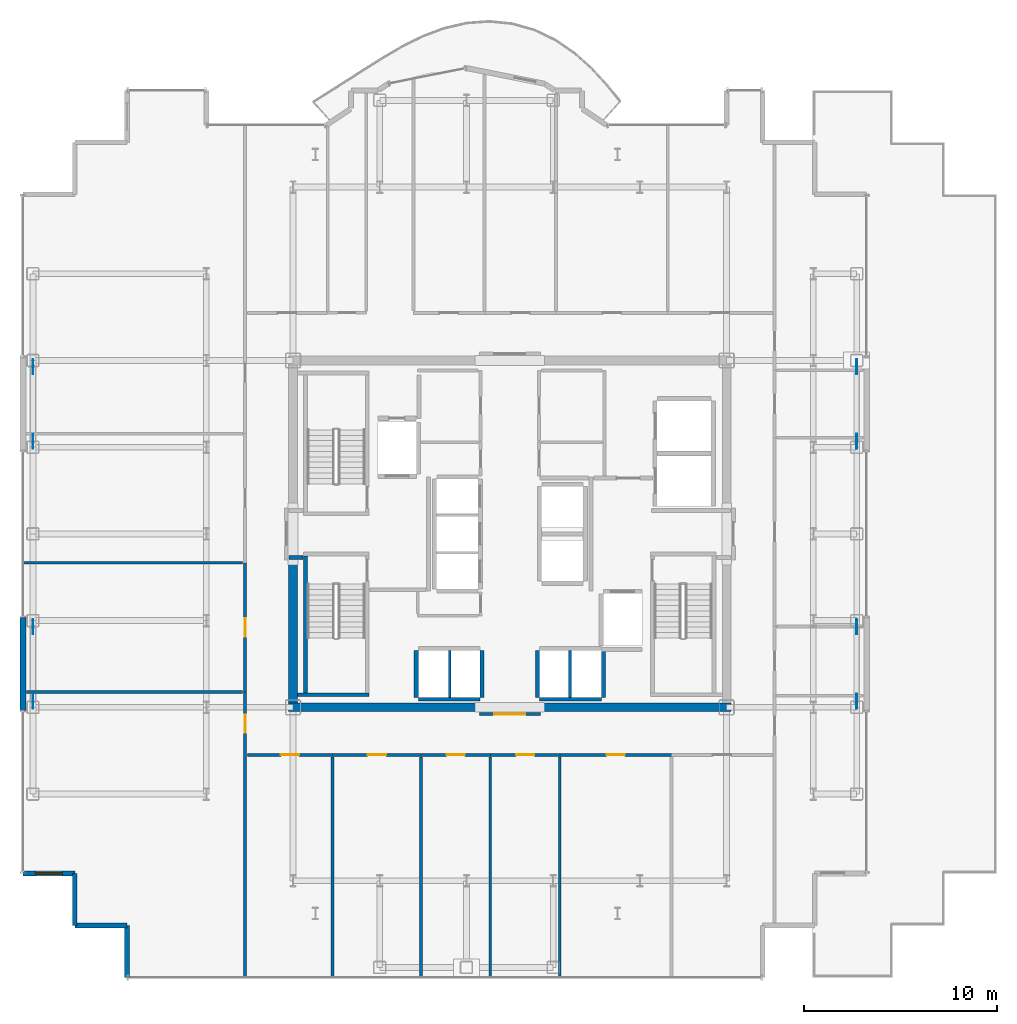
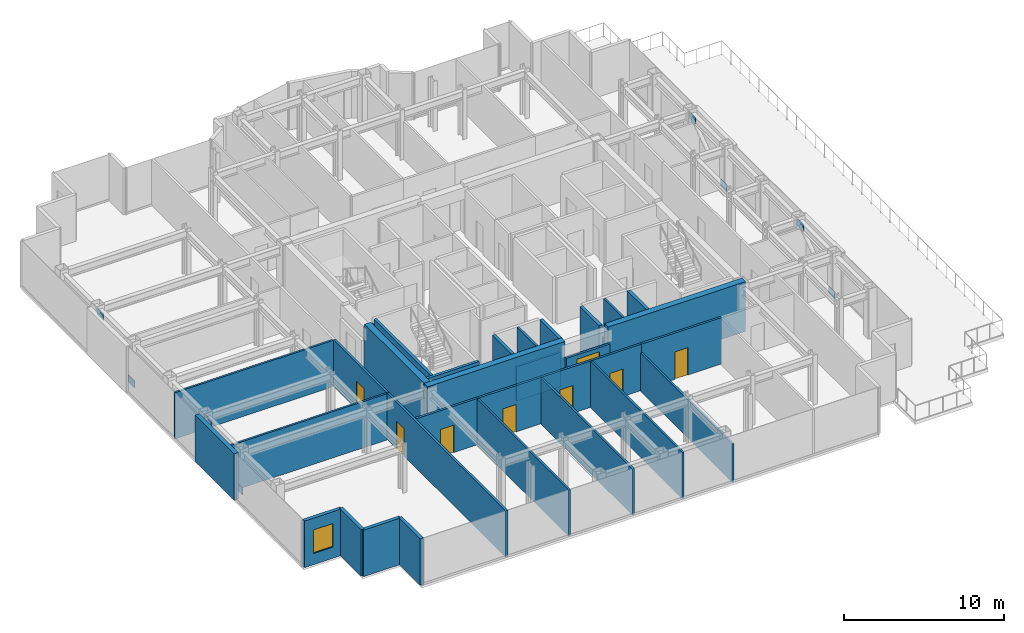
# One storey, part 11 of 17: 33 walls, 8 doors, 8 plates, 1 window, 9 openings.
"""IFC4 building model written with IfcOpenShell, lengths in metres."""

from ifc_helpers import new_model, si_unit, direction, frame, frame_2d, origin, origin_2d, place, context, subcontext, project, spatial, rectangle, extrude, source, transform, mapped, material, layer, layer_set, type_object, element, fill, save


model = new_model("IFC4")

# Units and contexts
model_context = context("Model", 3, precision=1e-05, world=origin(), true_north=direction((0.0, 1.0)))
body_context = subcontext(model_context, "Body", "Model", "MODEL_VIEW")
ifc_project = project(units=[si_unit("LENGTHUNIT", "METRE"), si_unit("AREAUNIT", "SQUARE_METRE"), si_unit("VOLUMEUNIT", "CUBIC_METRE"), si_unit("PLANEANGLEUNIT", "RADIAN"), si_unit("MASSUNIT", "GRAM", prefix="KILO")], contexts=[model_context])

# Site, building, storey
site_placement = place(None, origin())
site = spatial("IfcSite", under=ifc_project, at=site_placement, CompositionType="ELEMENT")
building_placement = place(site_placement, origin())
building = spatial("IfcBuilding", under=site, at=building_placement, Name="Nefas-Gora Pilgrimage Tower", CompositionType="ELEMENT")
storey_placement = place(building_placement, frame((0.0, 0.0, 264.60009765625)))
storey = spatial("IfcBuildingStorey", under=building, at=storey_placement, Name="L66", CompositionType="ELEMENT", Elevation=264.60009765625)

# Plates
ifc_material_1 = material(Name="Steel S355", Category="steel")
ifc_layer_1 = layer(ifc_material_1, 0.052001953125)
ifc_layer_set_1 = layer_set([ifc_layer_1], Name="Steel S355")
plate_type = type_object("IfcPlateType", Name="PLT-NODE-N09", PredefinedType="USERDEFINED", material=ifc_layer_set_1)
shared_shape_1 = source(origin(), body_context, "Body", "SweptSolid", [
    extrude(rectangle(XDim=0.780029296875, YDim=0.0380859375, at=origin_2d()), origin(), (0.0, 0.0, 1.0), 0.5400390625),
])
for number, where, z_axis, x_axis, name in (
    (1, (-24.75, -8.68701171875, 0.10400390625), (0.0, 0.0, 1.0), (0.0, 1.0, 0.0), "Structural Node Gusset Plate N09 (L66)"),
    (2, (-24.75, -4.81298828125, 2.8759765625), (0.0, 0.0, 1.0), (0.0, 1.0, 0.0), "Structural Node Gusset Plate N09 (L66)"),
    (3, (-24.75, 4.81298828125, 0.10400390625), (0.0, 0.0, 1.0), (0.0, 1.0, 0.0), "Structural Node Gusset Plate N09 (L66)"),
    (4, (-24.75, 8.68701171875, 2.8759765625), (0.0, 0.0, 1.0), (0.0, 1.0, 0.0), "Structural Node Gusset Plate N09 (L66)"),
    (5, (18.0, -8.68701171875, 0.10400390625), (0.0, 0.0, 1.0), (0.0, 1.0, 0.0), "Structural Node Gusset Plate N09 (L66)"),
    (6, (18.0, -4.81298828125, 2.8759765625), (0.0, 0.0, 1.0), (0.0, 1.0, 0.0), "Structural Node Gusset Plate N09 (L66)"),
    (7, (18.0, 4.81298828125, 0.10400390625), (0.0, 0.0, 1.0), (0.0, 1.0, 0.0), "Structural Node Gusset Plate N09 (L66)"),
    (8, (18.0, 8.68701171875, 2.8759765625), (0.0, 0.0, 1.0), (0.0, 1.0, 0.0), "Structural Node Gusset Plate N09 (L66)"),
):
    element("IfcPlate", number, at=place(storey_placement, frame(where, z_axis=z_axis, x_axis=x_axis)), inside=storey, type_object=plate_type, Name=name, ObjectType="GUSSET_PLATE", PredefinedType="USERDEFINED", context=body_context, shape_type="MappedRepresentation", body=[
        mapped(shared_shape_1, transform((0.0, 0.0, 0.0), x_axis=(1.0, 0.0, 0.0), y_axis=(0.0, 1.0, 0.0), z_axis=(0.0, 0.0, 1.0), scale=1.0)),
    ])

# Walls
ifc_material_2 = material(Name="Concrete C50/60", Category="concrete")
ifc_layer_2 = layer(ifc_material_2, 0.449951171875)
ifc_layer_set_2 = layer_set([ifc_layer_2], Name="Concrete C50/60")
wall_type_1 = type_object("IfcWallType", Name="SW-CORE-450", PredefinedType="SHEAR", material=ifc_layer_set_2)
shared_shape_2 = source(origin(), body_context, "Body", "SweptSolid", [
    extrude(rectangle(XDim=9.925048828125, YDim=0.449951171875, at=frame_2d((4.96240234375, 0.0))), origin(), (0.0, 0.0, 1.0), 3.7998046875),
])
for number, where, z_axis, x_axis, name in (
    (9, (-11.47509765625, -9.0, 0.0), (0.0, 0.0, 1.0), (1.0, 0.0, 0.0), "L66 Core Shear Wall S-West"),
    (10, (1.550048828125, -9.0, 0.0), (0.0, 0.0, 1.0), (1.0, 0.0, 0.0), "L66 Core Shear Wall S-East"),
):
    element("IfcWall", number, at=place(storey_placement, frame(where, z_axis=z_axis, x_axis=x_axis)), inside=storey, type_object=wall_type_1, Name=name, PredefinedType="SHEAR", context=body_context, shape_type="MappedRepresentation", body=[
        mapped(shared_shape_2, transform((0.0, 0.0, 0.0), x_axis=(1.0, 0.0, 0.0), y_axis=(0.0, 1.0, 0.0), z_axis=(0.0, 0.0, 1.0), scale=1.0)),
    ])
shared_shape_3 = source(origin(), body_context, "Body", "SweptSolid", [
    extrude(rectangle(XDim=7.4248046875, YDim=0.449951171875, at=frame_2d((3.71240234375, 0.0))), origin(), (0.0, 0.0, 1.0), 3.7998046875),
])
wall_1_placement = place(storey_placement, frame((-11.25, -8.77490234375, 0.0), z_axis=(0.0, 0.0, 1.0), x_axis=(0.0, 1.0, 0.0)))
element("IfcWall", 11, at=wall_1_placement, inside=storey, type_object=wall_type_1, Name="L66 Core Shear Wall W-South", PredefinedType="SHEAR", context=body_context, shape_type="MappedRepresentation", body=[
    mapped(shared_shape_3, transform((0.0, 0.0, 0.0), x_axis=(1.0, 0.0, 0.0), y_axis=(0.0, 1.0, 0.0), z_axis=(0.0, 0.0, 1.0), scale=1.0)),
])

# Wall, opening, window
ifc_material_3 = material(Name="Precast concrete C45/55", Category="concrete")
ifc_layer_3 = layer(ifc_material_3, 0.239990234375)
ifc_layer_set_3 = layer_set([ifc_layer_3], Name="Precast concrete C45/55")
wall_type_2 = type_object("IfcWallType", Name="EW-SERR-240", PredefinedType="SHEAR", material=ifc_layer_set_3)
shared_shape_4 = source(origin(), body_context, "Body", "SweptSolid", [
    extrude(rectangle(XDim=2.699951171875, YDim=0.239990234375, at=frame_2d((1.35009765625, 0.0))), origin(), (0.0, 0.0, 1.0), 3.5498046875),
])
wall_2_placement = place(storey_placement, frame((-25.27001953125, -17.6201171875, 0.0), z_axis=(0.0, 0.0, 1.0), x_axis=(1.0, 0.0, 0.0)))
wall_2 = element("IfcWall", 12, at=wall_2_placement, inside=storey, type_object=wall_type_2, Name="L66 Serrated Corner Shear Pier Wall 25", PredefinedType="SHEAR", context=body_context, shape_type="MappedRepresentation", body=[
    mapped(shared_shape_4, transform((0.0, 0.0, 0.0), x_axis=(1.0, 0.0, 0.0), y_axis=(0.0, 1.0, 0.0), z_axis=(0.0, 0.0, 1.0), scale=1.0)),
])
opening_1_placement = place(wall_2_placement, frame((0.64990234375, 0.0, 0.85009765625)))
opening_1 = element("IfcOpeningElement", 13, at=opening_1_placement, cuts=wall_2, Name="Opening W-V2", PredefinedType="OPENING", context=body_context, shape_type="SweptSolid", body=[
    extrude(rectangle(XDim=1.39990234375, YDim=1.800048828125, at=frame_2d((0.699951171875, 0.89990234375))), frame((0.0, 0.1298828125, 0.0), z_axis=(0.0, -1.0, 0.0), x_axis=(1.0, 0.0, 0.0)), (0.0, 0.0, 1.0), 0.260009765625),
])
ifc_material_4 = material(Name="Dark ceramic-fritted operable aluminium-glass window", Category="aluminium")
window_type = type_object("IfcWindowType", Name="WIN-VENT-1400x1800", PartitioningType="SINGLE_PANEL", PredefinedType="WINDOW", material=ifc_material_4)
shared_shape_5 = source(origin(), body_context, "Body", "SweptSolid", [
    extrude(rectangle(XDim=1.39990234375, YDim=1.800048828125, at=frame_2d((0.699951171875, 0.89990234375))), frame((0.0, 0.030029296875, 0.0), z_axis=(0.0, -1.0, 0.0), x_axis=(1.0, 0.0, 0.0)), (0.0, 0.0, 1.0), 0.06005859375),
])
window_placement = place(opening_1_placement, origin())
window = element("IfcWindow", 14, at=window_placement, inside=storey, type_object=window_type, Name="L66 Operable Parallel-Outswing Window 25", OverallHeight=1.800048828125, OverallWidth=1.39990234375, PartitioningType="SINGLE_PANEL", PredefinedType="WINDOW", context=body_context, shape_type="MappedRepresentation", body=[
    mapped(shared_shape_5, transform((0.0, 0.0, 0.0), x_axis=(1.0, 0.0, 0.0), y_axis=(0.0, 1.0, 0.0), z_axis=(0.0, 0.0, 1.0), scale=1.0)),
])
fill(opening_1, window)

# Walls
for number, where, z_axis, x_axis, name in (
    (15, (-22.570068359375, -17.6201171875, 0.0), (0.0, 0.0, 1.0), (0.0, -1.0, 0.0), "L66 Serrated Corner Shear Pier Wall 26"),
    (16, (-22.570068359375, -20.320068359375, 0.0), (0.0, 0.0, 1.0), (1.0, 0.0, 0.0), "L66 Serrated Corner Shear Pier Wall 27"),
    (17, (-19.8701171875, -20.320068359375, 0.0), (0.0, 0.0, 1.0), (0.0, -1.0, 0.0), "L66 Serrated Corner Shear Pier Wall 28"),
):
    element("IfcWall", number, at=place(storey_placement, frame(where, z_axis=z_axis, x_axis=x_axis)), inside=storey, type_object=wall_type_2, Name=name, PredefinedType="SHEAR", context=body_context, shape_type="MappedRepresentation", body=[
        mapped(shared_shape_4, transform((0.0, 0.0, 0.0), x_axis=(1.0, 0.0, 0.0), y_axis=(0.0, 1.0, 0.0), z_axis=(0.0, 0.0, 1.0), scale=1.0)),
    ])
shared_shape_6 = source(origin(), body_context, "Body", "SweptSolid", [
    extrude(rectangle(XDim=4.8798828125, YDim=0.300048828125, at=frame_2d((2.43994140625, 0.0))), origin(), (0.0, 0.0, 1.0), 3.5498046875),
])
wall_3_placement = place(storey_placement, frame((-25.27001953125, -9.18994140625, 0.0), z_axis=(0.0, 0.0, 1.0), x_axis=(0.0, 1.0, 0.0)))
element("IfcWall", 18, at=wall_3_placement, inside=storey, type_object=wall_type_2, Name="L66 Braced-Tube Precast Shear Cladding 1", PredefinedType="SHEAR", context=body_context, shape_type="MappedRepresentation", body=[
    mapped(shared_shape_6, transform((0.0, 0.0, 0.0), x_axis=(1.0, 0.0, 0.0), y_axis=(0.0, 1.0, 0.0), z_axis=(0.0, 0.0, 1.0), scale=1.0)),
])
ifc_material_5 = material(Name="Concrete C45/55", Category="concrete")
ifc_layer_4 = layer(ifc_material_5, 0.199951171875)
ifc_layer_set_4 = layer_set([ifc_layer_4], Name="Concrete C45/55")
wall_type_3 = type_object("IfcWallType", Name="IW-STAIR-200", PredefinedType="SOLIDWALL", material=ifc_layer_set_4)
shared_shape_7 = source(origin(), body_context, "Body", "SweptSolid", [
    extrude(rectangle(XDim=7.10009765625, YDim=0.199951171875, at=frame_2d((3.550048828125, 0.0))), origin(), (0.0, 0.0, 1.0), 3.7998046875),
])
wall_4_placement = place(storey_placement, frame((-10.60009765625, -1.14990234375, 0.0), z_axis=(0.0, 0.0, 1.0), x_axis=(0.0, -1.0, 0.0)))
element("IfcWall", 19, at=wall_4_placement, inside=storey, type_object=wall_type_3, Name="L66 Stairwell Shear Wall ST-03-left", PredefinedType="SOLIDWALL", context=body_context, shape_type="MappedRepresentation", body=[
    mapped(shared_shape_7, transform((0.0, 0.0, 0.0), x_axis=(1.0, 0.0, 0.0), y_axis=(0.0, 1.0, 0.0), z_axis=(0.0, 0.0, 1.0), scale=1.0)),
])
shared_shape_8 = source(origin(), body_context, "Body", "SweptSolid", [
    extrude(rectangle(XDim=3.72998046875, YDim=0.199951171875, at=frame_2d((1.864990234375, 0.0))), origin(), (0.0, 0.0, 1.0), 3.7998046875),
])
wall_5_placement = place(storey_placement, frame((-11.030029296875, -8.35009765625, 0.0), z_axis=(0.0, 0.0, 1.0), x_axis=(1.0, 0.0, 0.0)))
element("IfcWall", 20, at=wall_5_placement, inside=storey, type_object=wall_type_3, Name="L66 Stairwell Shear Wall ST-03-far", PredefinedType="SOLIDWALL", context=body_context, shape_type="MappedRepresentation", body=[
    mapped(shared_shape_8, transform((0.0, 0.0, 0.0), x_axis=(1.0, 0.0, 0.0), y_axis=(0.0, 1.0, 0.0), z_axis=(0.0, 0.0, 1.0), scale=1.0)),
])
ifc_material_6 = material(Name="Concrete C40/50", Category="concrete")
ifc_layer_5 = layer(ifc_material_6, 0.219970703125)
ifc_layer_set_5 = layer_set([ifc_layer_5], Name="Concrete C40/50")
wall_type_4 = type_object("IfcWallType", Name="IW-SHAFT-220", PredefinedType="SOLIDWALL", material=ifc_layer_set_5)
shared_shape_9 = source(origin(), body_context, "Body", "SweptSolid", [
    extrude(rectangle(XDim=2.429931640625, YDim=0.219970703125, at=frame_2d((1.21484375, 0.0))), origin(), (0.0, 0.0, 1.0), 3.534912109375),
])
for number, where, z_axis, x_axis, name in (
    (21, (-4.860107421875, -6.06005859375, 0.0), (0.0, 0.0, 1.0), (0.0, -1.0, 0.0), "L66 Hoistway Wall PL2-W-W"),
    (22, (-1.43994140625, -8.489990234375, 0.0), (0.0, 0.0, 1.0), (0.0, 1.0, 0.0), "L66 Hoistway Wall PL2-W-E"),
    (23, (1.43994140625, -6.06005859375, 0.0), (0.0, 0.0, 1.0), (0.0, -1.0, 0.0), "L66 Hoistway Wall PL2-E-W"),
    (24, (4.860107421875, -8.489990234375, 0.0), (0.0, 0.0, 1.0), (0.0, 1.0, 0.0), "L66 Hoistway Wall PL2-E-E"),
):
    element("IfcWall", number, at=place(storey_placement, frame(where, z_axis=z_axis, x_axis=x_axis)), inside=storey, type_object=wall_type_4, Name=name, PredefinedType="SOLIDWALL", context=body_context, shape_type="MappedRepresentation", body=[
        mapped(shared_shape_9, transform((0.0, 0.0, 0.0), x_axis=(1.0, 0.0, 0.0), y_axis=(0.0, 1.0, 0.0), z_axis=(0.0, 0.0, 1.0), scale=1.0)),
    ])
ifc_material_7 = material(Name="Gypsum twin-stud partition")
ifc_layer_6 = layer(ifc_material_7, 0.139892578125)
ifc_layer_set_6 = layer_set([ifc_layer_6], Name="Gypsum twin-stud partition")
wall_type_5 = type_object("IfcWallType", Name="IW-UNIT-140", PredefinedType="PARTITIONING", material=ifc_layer_set_6)
shared_shape_10 = source(origin(), body_context, "Body", "SweptSolid", [
    extrude(rectangle(XDim=2.429931640625, YDim=0.139892578125, at=frame_2d((1.21484375, 0.0))), origin(), (0.0, 0.0, 1.0), 3.534912109375),
])
for number, where, z_axis, x_axis, name in (
    (25, (-3.125, -8.489990234375, 0.0), (0.0, 0.0, 1.0), (0.0, 1.0, 0.0), "L66 Hoistway Wall PL2-W-DIV"),
    (26, (3.125, -8.489990234375, 0.0), (0.0, 0.0, 1.0), (0.0, 1.0, 0.0), "L66 Hoistway Wall PL2-E-DIV"),
):
    element("IfcWall", number, at=place(storey_placement, frame(where, z_axis=z_axis, x_axis=x_axis)), inside=storey, type_object=wall_type_5, Name=name, PredefinedType="PARTITIONING", context=body_context, shape_type="MappedRepresentation", body=[
        mapped(shared_shape_10, transform((0.0, 0.0, 0.0), x_axis=(1.0, 0.0, 0.0), y_axis=(0.0, 1.0, 0.0), z_axis=(0.0, 0.0, 1.0), scale=1.0)),
    ])
ifc_material_8 = material(Name="Gypsum acoustic stud partition")
ifc_layer_7 = layer(ifc_material_8, 0.159912109375)
ifc_layer_set_7 = layer_set([ifc_layer_7], Name="Gypsum acoustic stud partition")
wall_type_6 = type_object("IfcWallType", Name="IW-CORR-160", PredefinedType="PARTITIONING", material=ifc_layer_set_7)
shared_shape_11 = source(origin(), body_context, "Body", "SweptSolid", [
    extrude(rectangle(XDim=3.199951171875, YDim=0.159912109375, at=frame_2d((1.60009765625, 0.0))), origin(), (0.0, 0.0, 1.0), 2.625),
])
for number, where, z_axis, x_axis, name in (
    (27, (-4.75, -8.580078125, 0.0), (0.0, 0.0, 1.0), (1.0, 0.0, 0.0), "L66 Hoistway Wall PL2-W-S"),
    (28, (1.550048828125, -8.580078125, 0.0), (0.0, 0.0, 1.0), (1.0, 0.0, 0.0), "L66 Hoistway Wall PL2-E-S"),
):
    element("IfcWall", number, at=place(storey_placement, frame(where, z_axis=z_axis, x_axis=x_axis)), inside=storey, type_object=wall_type_6, Name=name, PredefinedType="PARTITIONING", context=body_context, shape_type="MappedRepresentation", body=[
        mapped(shared_shape_11, transform((0.0, 0.0, 0.0), x_axis=(1.0, 0.0, 0.0), y_axis=(0.0, 1.0, 0.0), z_axis=(0.0, 0.0, 1.0), scale=1.0)),
    ])
ifc_material_9 = material(Name="Gypsum fire-rated shaftwall")
ifc_layer_8 = layer(ifc_material_9, 0.199951171875)
ifc_layer_set_8 = layer_set([ifc_layer_8], Name="Gypsum fire-rated shaftwall")
wall_type_7 = type_object("IfcWallType", Name="IW-FFLOB-200", PredefinedType="PARTITIONING", material=ifc_layer_set_8)
shared_shape_12 = source(origin(), body_context, "Body", "SweptSolid", [
    extrude(rectangle(XDim=0.719970703125, YDim=0.199951171875, at=frame_2d((0.35986328125, 0.0))), origin(), (0.0, 0.0, 1.0), 3.534912109375),
])
wall_6_placement = place(storey_placement, frame((-11.4599609375, -1.219970703125, 0.0), z_axis=(0.0, 0.0, 1.0), x_axis=(1.0, 0.0, 0.0)))
element("IfcWall", 29, at=wall_6_placement, inside=storey, type_object=wall_type_7, Name="L66 FF Lobby West Throat S Wall 8", PredefinedType="PARTITIONING", context=body_context, shape_type="MappedRepresentation", body=[
    mapped(shared_shape_12, transform((0.0, 0.0, 0.0), x_axis=(1.0, 0.0, 0.0), y_axis=(0.0, 1.0, 0.0), z_axis=(0.0, 0.0, 1.0), scale=1.0)),
])

# Wall, opening, door
shared_shape_13 = source(origin(), body_context, "Body", "SweptSolid", [
    extrude(rectangle(XDim=5.81005859375, YDim=0.159912109375, at=frame_2d((2.905029296875, 0.0))), origin(), (0.0, 0.0, 1.0), 3.534912109375),
])
wall_7_placement = place(storey_placement, frame((2.594970703125, -11.469970703125, 0.0), z_axis=(0.0, 0.0, 1.0), x_axis=(1.0, 0.0, 0.0)))
wall_7 = element("IfcWall", 30, at=wall_7_placement, inside=storey, type_object=wall_type_6, Name="L66 Pilgrim Contemplative Lounge Partition Wall 65", PredefinedType="PARTITIONING", context=body_context, shape_type="MappedRepresentation", body=[
    mapped(shared_shape_13, transform((0.0, 0.0, 0.0), x_axis=(1.0, 0.0, 0.0), y_axis=(0.0, 1.0, 0.0), z_axis=(0.0, 0.0, 1.0), scale=1.0)),
])
opening_2_placement = place(wall_7_placement, frame((2.429931640625, 0.0, 0.0)))
opening_2 = element("IfcOpeningElement", 31, at=opening_2_placement, cuts=wall_7, Name="Opening ID-GR1", PredefinedType="OPENING", context=body_context, shape_type="SweptSolid", body=[
    extrude(rectangle(XDim=0.949951171875, YDim=2.10009765625, at=frame_2d((0.47509765625, 1.050048828125))), frame((0.0, 0.08984375, 0.0), z_axis=(0.0, -1.0, 0.0), x_axis=(1.0, 0.0, 0.0)), (0.0, 0.0, 1.0), 0.179931640625),
])
ifc_material_10 = material(Name="Solid core oak fire-rated guest entrance door")
door_type_1 = type_object("IfcDoorType", Name="DR-INT-GUEST-950", OperationType="NOTDEFINED", PredefinedType="DOOR", material=ifc_material_10)
shared_shape_14 = source(origin(), body_context, "Body", "SweptSolid", [
    extrude(rectangle(XDim=0.949951171875, YDim=2.10009765625, at=frame_2d((0.47509765625, 1.050048828125))), frame((0.0, 0.02490234375, 0.0), z_axis=(0.0, -1.0, 0.0), x_axis=(1.0, 0.0, 0.0)), (0.0, 0.0, 1.0), 0.050048828125),
])
door_1_placement = place(opening_2_placement, origin())
door_1 = element("IfcDoor", 32, at=door_1_placement, inside=storey, type_object=door_type_1, Name="L66 Pilgrim Contemplative Lounge Door 31", OperationType="SINGLE_SWING_LEFT", OverallHeight=2.10009765625, OverallWidth=0.949951171875, PredefinedType="DOOR", context=body_context, shape_type="MappedRepresentation", body=[
    mapped(shared_shape_14, transform((0.0, 0.0, 0.0), x_axis=(1.0, 0.0, 0.0), y_axis=(0.0, 1.0, 0.0), z_axis=(0.0, 0.0, 1.0), scale=1.0)),
])
fill(opening_2, door_1)

shared_shape_15 = source(origin(), body_context, "Body", "SweptSolid", [
    extrude(rectangle(XDim=4.425048828125, YDim=0.159912109375, at=frame_2d((2.21240234375, 0.0))), origin(), (0.0, 0.0, 1.0), 3.534912109375),
])
wall_8_placement = place(storey_placement, frame((-13.6201171875, -11.469970703125, 0.0), z_axis=(0.0, 0.0, 1.0), x_axis=(1.0, 0.0, 0.0)))
wall_8 = element("IfcWall", 33, at=wall_8_placement, inside=storey, type_object=wall_type_6, Name="L66 Pilgrim Contemplative Lounge Partition Wall 57", PredefinedType="PARTITIONING", context=body_context, shape_type="MappedRepresentation", body=[
    mapped(shared_shape_15, transform((0.0, 0.0, 0.0), x_axis=(1.0, 0.0, 0.0), y_axis=(0.0, 1.0, 0.0), z_axis=(0.0, 0.0, 1.0), scale=1.0)),
])
opening_3_placement = place(wall_8_placement, frame((1.737548828125, 0.0, 0.0)))
opening_3 = element("IfcOpeningElement", 34, at=opening_3_placement, cuts=wall_8, Name="Opening ID-GR1", PredefinedType="OPENING", context=body_context, shape_type="SweptSolid", body=[
    extrude(rectangle(XDim=0.949951171875, YDim=2.10009765625, at=frame_2d((0.47509765625, 1.050048828125))), frame((0.0, 0.08984375, 0.0), z_axis=(0.0, -1.0, 0.0), x_axis=(1.0, 0.0, 0.0)), (0.0, 0.0, 1.0), 0.179931640625),
])
door_2_placement = place(opening_3_placement, origin())
door_2 = element("IfcDoor", 35, at=door_2_placement, inside=storey, type_object=door_type_1, Name="L66 Pilgrim Contemplative Lounge Door 27", OperationType="SINGLE_SWING_LEFT", OverallHeight=2.10009765625, OverallWidth=0.949951171875, PredefinedType="DOOR", context=body_context, shape_type="MappedRepresentation", body=[
    mapped(shared_shape_14, transform((0.0, 0.0, 0.0), x_axis=(1.0, 0.0, 0.0), y_axis=(0.0, 1.0, 0.0), z_axis=(0.0, 0.0, 1.0), scale=1.0)),
])
fill(opening_3, door_2)

shared_shape_16 = source(origin(), body_context, "Body", "SweptSolid", [
    extrude(rectangle(XDim=4.610107421875, YDim=0.159912109375, at=frame_2d((2.30517578125, 0.0))), origin(), (0.0, 0.0, 1.0), 3.534912109375),
])
wall_9_placement = place(storey_placement, frame((-9.205078125, -11.469970703125, 0.0), z_axis=(0.0, 0.0, 1.0), x_axis=(1.0, 0.0, 0.0)))
wall_9 = element("IfcWall", 36, at=wall_9_placement, inside=storey, type_object=wall_type_6, Name="L66 Pilgrim Contemplative Lounge Partition Wall 59", PredefinedType="PARTITIONING", context=body_context, shape_type="MappedRepresentation", body=[
    mapped(shared_shape_16, transform((0.0, 0.0, 0.0), x_axis=(1.0, 0.0, 0.0), y_axis=(0.0, 1.0, 0.0), z_axis=(0.0, 0.0, 1.0), scale=1.0)),
])
opening_4_placement = place(wall_9_placement, frame((1.830078125, 0.0, 0.0)))
opening_4 = element("IfcOpeningElement", 37, at=opening_4_placement, cuts=wall_9, Name="Opening ID-GR1", PredefinedType="OPENING", context=body_context, shape_type="SweptSolid", body=[
    extrude(rectangle(XDim=0.949951171875, YDim=2.10009765625, at=frame_2d((0.47509765625, 1.050048828125))), frame((0.0, 0.08984375, 0.0), z_axis=(0.0, -1.0, 0.0), x_axis=(1.0, 0.0, 0.0)), (0.0, 0.0, 1.0), 0.179931640625),
])
door_3_placement = place(opening_4_placement, origin())
door_3 = element("IfcDoor", 38, at=door_3_placement, inside=storey, type_object=door_type_1, Name="L66 Pilgrim Contemplative Lounge Door 28", OperationType="SINGLE_SWING_RIGHT", OverallHeight=2.10009765625, OverallWidth=0.949951171875, PredefinedType="DOOR", context=body_context, shape_type="MappedRepresentation", body=[
    mapped(shared_shape_14, transform((0.0, 0.0, 0.0), x_axis=(1.0, 0.0, 0.0), y_axis=(0.0, 1.0, 0.0), z_axis=(0.0, 0.0, 1.0), scale=1.0)),
])
fill(opening_4, door_3)

shared_shape_17 = source(origin(), body_context, "Body", "SweptSolid", [
    extrude(rectangle(XDim=3.60498046875, YDim=0.159912109375, at=frame_2d((1.802490234375, 0.0))), origin(), (0.0, 0.0, 1.0), 3.534912109375),
])
wall_10_placement = place(storey_placement, frame((-4.60498046875, -11.469970703125, 0.0), z_axis=(0.0, 0.0, 1.0), x_axis=(1.0, 0.0, 0.0)))
wall_10 = element("IfcWall", 39, at=wall_10_placement, inside=storey, type_object=wall_type_6, Name="L66 Pilgrim Contemplative Lounge Partition Wall 61", PredefinedType="PARTITIONING", context=body_context, shape_type="MappedRepresentation", body=[
    mapped(shared_shape_17, transform((0.0, 0.0, 0.0), x_axis=(1.0, 0.0, 0.0), y_axis=(0.0, 1.0, 0.0), z_axis=(0.0, 0.0, 1.0), scale=1.0)),
])
opening_5_placement = place(wall_10_placement, frame((1.327392578125, 0.0, 0.0)))
opening_5 = element("IfcOpeningElement", 40, at=opening_5_placement, cuts=wall_10, Name="Opening ID-GR1", PredefinedType="OPENING", context=body_context, shape_type="SweptSolid", body=[
    extrude(rectangle(XDim=0.949951171875, YDim=2.10009765625, at=frame_2d((0.47509765625, 1.050048828125))), frame((0.0, 0.08984375, 0.0), z_axis=(0.0, -1.0, 0.0), x_axis=(1.0, 0.0, 0.0)), (0.0, 0.0, 1.0), 0.179931640625),
])
door_4_placement = place(opening_5_placement, origin())
door_4 = element("IfcDoor", 41, at=door_4_placement, inside=storey, type_object=door_type_1, Name="L66 Pilgrim Contemplative Lounge Door 29", OperationType="SINGLE_SWING_LEFT", OverallHeight=2.10009765625, OverallWidth=0.949951171875, PredefinedType="DOOR", context=body_context, shape_type="MappedRepresentation", body=[
    mapped(shared_shape_14, transform((0.0, 0.0, 0.0), x_axis=(1.0, 0.0, 0.0), y_axis=(0.0, 1.0, 0.0), z_axis=(0.0, 0.0, 1.0), scale=1.0)),
])
fill(opening_5, door_4)

wall_11_placement = place(storey_placement, frame((-1.0, -11.469970703125, 0.0), z_axis=(0.0, 0.0, 1.0), x_axis=(1.0, 0.0, 0.0)))
wall_11 = element("IfcWall", 42, at=wall_11_placement, inside=storey, type_object=wall_type_6, Name="L66 Pilgrim Contemplative Lounge Partition Wall 63", PredefinedType="PARTITIONING", context=body_context, shape_type="MappedRepresentation", body=[
    mapped(shared_shape_17, transform((0.0, 0.0, 0.0), x_axis=(1.0, 0.0, 0.0), y_axis=(0.0, 1.0, 0.0), z_axis=(0.0, 0.0, 1.0), scale=1.0)),
])
opening_6_placement = place(wall_11_placement, frame((1.327392578125, 0.0, 0.0)))
opening_6 = element("IfcOpeningElement", 43, at=opening_6_placement, cuts=wall_11, Name="Opening ID-GR1", PredefinedType="OPENING", context=body_context, shape_type="SweptSolid", body=[
    extrude(rectangle(XDim=0.949951171875, YDim=2.10009765625, at=frame_2d((0.47509765625, 1.050048828125))), frame((0.0, 0.08984375, 0.0), z_axis=(0.0, -1.0, 0.0), x_axis=(1.0, 0.0, 0.0)), (0.0, 0.0, 1.0), 0.179931640625),
])
door_5_placement = place(opening_6_placement, origin())
door_5 = element("IfcDoor", 44, at=door_5_placement, inside=storey, type_object=door_type_1, Name="L66 Pilgrim Contemplative Lounge Door 30", OperationType="SINGLE_SWING_RIGHT", OverallHeight=2.10009765625, OverallWidth=0.949951171875, PredefinedType="DOOR", context=body_context, shape_type="MappedRepresentation", body=[
    mapped(shared_shape_14, transform((0.0, 0.0, 0.0), x_axis=(1.0, 0.0, 0.0), y_axis=(0.0, 1.0, 0.0), z_axis=(0.0, 0.0, 1.0), scale=1.0)),
])
fill(opening_6, door_5)

shared_shape_18 = source(origin(), body_context, "Body", "SweptSolid", [
    extrude(rectangle(XDim=14.844970703125, YDim=0.159912109375, at=frame_2d((7.42236328125, 0.0))), origin(), (0.0, 0.0, 1.0), 3.534912109375),
])
wall_12_placement = place(storey_placement, frame((-13.739990234375, -23.0400390625, 0.0), z_axis=(0.0, 0.0, 1.0), x_axis=(0.0, 1.0, 0.0)))
wall_12 = element("IfcWall", 45, at=wall_12_placement, inside=storey, type_object=wall_type_6, Name="L66 Pilgrim Tea and Beverage Pantry Partition Wall 32", PredefinedType="PARTITIONING", context=body_context, shape_type="MappedRepresentation", body=[
    mapped(shared_shape_18, transform((0.0, 0.0, 0.0), x_axis=(1.0, 0.0, 0.0), y_axis=(0.0, 1.0, 0.0), z_axis=(0.0, 0.0, 1.0), scale=1.0)),
])
opening_7_placement = place(wall_12_placement, frame((12.71240234375, 0.0, 0.0)))
opening_7 = element("IfcOpeningElement", 46, at=opening_7_placement, cuts=wall_12, Name="Opening ID-GR1", PredefinedType="OPENING", context=body_context, shape_type="SweptSolid", body=[
    extrude(rectangle(XDim=0.949951171875, YDim=2.10009765625, at=frame_2d((0.47509765625, 1.050048828125))), frame((0.0, 0.08984375, 0.0), z_axis=(0.0, -1.0, 0.0), x_axis=(1.0, 0.0, 0.0)), (0.0, 0.0, 1.0), 0.179931640625),
])
door_6_placement = place(opening_7_placement, origin())
door_6 = element("IfcDoor", 47, at=door_6_placement, inside=storey, type_object=door_type_1, Name="L66 Pilgrim Tea and Beverage Pantry Door 13", OperationType="SINGLE_SWING_LEFT", OverallHeight=2.10009765625, OverallWidth=0.949951171875, PredefinedType="DOOR", context=body_context, shape_type="MappedRepresentation", body=[
    mapped(shared_shape_14, transform((0.0, 0.0, 0.0), x_axis=(1.0, 0.0, 0.0), y_axis=(0.0, 1.0, 0.0), z_axis=(0.0, 0.0, 1.0), scale=1.0)),
])
fill(opening_7, door_6)

# Walls
shared_shape_19 = source(origin(), body_context, "Body", "SweptSolid", [
    extrude(rectangle(XDim=11.429931640625, YDim=0.139892578125, at=frame_2d((5.71484375, 0.0))), origin(), (0.0, 0.0, 1.0), 3.534912109375),
])
wall_13_placement = place(storey_placement, frame((-25.2900390625, -1.489990234375, 0.0), z_axis=(0.0, 0.0, 1.0), x_axis=(1.0, 0.0, 0.0)))
element("IfcWall", 48, at=wall_13_placement, inside=storey, type_object=wall_type_5, Name="L66 Pilgrim Fellowship Seminar Room Partition Wall 36", PredefinedType="PARTITIONING", context=body_context, shape_type="MappedRepresentation", body=[
    mapped(shared_shape_19, transform((0.0, 0.0, 0.0), x_axis=(1.0, 0.0, 0.0), y_axis=(0.0, 1.0, 0.0), z_axis=(0.0, 0.0, 1.0), scale=1.0)),
])
shared_shape_20 = source(origin(), body_context, "Body", "SweptSolid", [
    extrude(rectangle(XDim=11.219970703125, YDim=0.139892578125, at=frame_2d((5.60986328125, 0.0))), origin(), (0.0, 0.0, 1.0), 3.534912109375),
])
wall_14_placement = place(storey_placement, frame((-25.080078125, -8.205078125, 0.0), z_axis=(0.0, 0.0, 1.0), x_axis=(1.0, 0.0, 0.0)))
element("IfcWall", 49, at=wall_14_placement, inside=storey, type_object=wall_type_5, Name="L66 Pilgrim Tea and Beverage Pantry Partition Wall 33", PredefinedType="PARTITIONING", context=body_context, shape_type="MappedRepresentation", body=[
    mapped(shared_shape_20, transform((0.0, 0.0, 0.0), x_axis=(1.0, 0.0, 0.0), y_axis=(0.0, 1.0, 0.0), z_axis=(0.0, 0.0, 1.0), scale=1.0)),
])

# Wall, opening, door
shared_shape_21 = source(origin(), body_context, "Body", "SweptSolid", [
    extrude(rectangle(XDim=6.705078125, YDim=0.159912109375, at=frame_2d((3.3525390625, 0.0))), origin(), (0.0, 0.0, 1.0), 3.534912109375),
])
wall_15_placement = place(storey_placement, frame((-13.739990234375, -8.205078125, 0.0), z_axis=(0.0, 0.0, 1.0), x_axis=(0.0, 1.0, 0.0)))
wall_15 = element("IfcWall", 50, at=wall_15_placement, inside=storey, type_object=wall_type_6, Name="L66 Pilgrim Contemplative Lounge Partition Wall 37", PredefinedType="PARTITIONING", context=body_context, shape_type="MappedRepresentation", body=[
    mapped(shared_shape_21, transform((0.0, 0.0, 0.0), x_axis=(1.0, 0.0, 0.0), y_axis=(0.0, 1.0, 0.0), z_axis=(0.0, 0.0, 1.0), scale=1.0)),
])
opening_8_placement = place(wall_15_placement, frame((2.87744140625, 0.0, 0.0)))
opening_8 = element("IfcOpeningElement", 51, at=opening_8_placement, cuts=wall_15, Name="Opening ID-GR1", PredefinedType="OPENING", context=body_context, shape_type="SweptSolid", body=[
    extrude(rectangle(XDim=0.949951171875, YDim=2.10009765625, at=frame_2d((0.47509765625, 1.050048828125))), frame((0.0, 0.08984375, 0.0), z_axis=(0.0, -1.0, 0.0), x_axis=(1.0, 0.0, 0.0)), (0.0, 0.0, 1.0), 0.179931640625),
])
door_7_placement = place(opening_8_placement, origin())
door_7 = element("IfcDoor", 52, at=door_7_placement, inside=storey, type_object=door_type_1, Name="L66 Pilgrim Contemplative Lounge Door 15", OperationType="SINGLE_SWING_LEFT", OverallHeight=2.10009765625, OverallWidth=0.949951171875, PredefinedType="DOOR", context=body_context, shape_type="MappedRepresentation", body=[
    mapped(shared_shape_14, transform((0.0, 0.0, 0.0), x_axis=(1.0, 0.0, 0.0), y_axis=(0.0, 1.0, 0.0), z_axis=(0.0, 0.0, 1.0), scale=1.0)),
])
fill(opening_8, door_7)

shared_shape_22 = source(origin(), body_context, "Body", "SweptSolid", [
    extrude(rectangle(XDim=3.16015625, YDim=0.159912109375, at=frame_2d((1.580078125, 0.0))), origin(), (0.0, 0.0, 1.0), 2.625),
])
wall_16_placement = place(storey_placement, frame((-1.580078125, -9.35009765625, 0.0), z_axis=(0.0, 0.0, 1.0), x_axis=(1.0, 0.0, 0.0)))
wall_16 = element("IfcWall", 53, at=wall_16_placement, inside=storey, type_object=wall_type_6, Name="L66 Central Lift Lobby South Portal Wall 16", PredefinedType="PARTITIONING", context=body_context, shape_type="MappedRepresentation", body=[
    mapped(shared_shape_22, transform((0.0, 0.0, 0.0), x_axis=(1.0, 0.0, 0.0), y_axis=(0.0, 1.0, 0.0), z_axis=(0.0, 0.0, 1.0), scale=1.0)),
])
opening_9_placement = place(wall_16_placement, frame((0.780029296875, 0.0, 0.0)))
opening_9 = element("IfcOpeningElement", 54, at=opening_9_placement, cuts=wall_16, Name="Opening ID-HL1", PredefinedType="OPENING", context=body_context, shape_type="SweptSolid", body=[
    extrude(rectangle(XDim=1.60009765625, YDim=2.300048828125, at=frame_2d((0.800048828125, 1.14990234375))), frame((0.0, 0.08984375, 0.0), z_axis=(0.0, -1.0, 0.0), x_axis=(1.0, 0.0, 0.0)), (0.0, 0.0, 1.0), 0.179931640625),
])
ifc_material_11 = material(Name="Double acoustic timber assembly hall door", Category="wood")
door_type_2 = type_object("IfcDoorType", Name="DR-INT-HALL-1600", OperationType="DOUBLE_DOOR_SINGLE_SWING", PredefinedType="DOOR", material=ifc_material_11)
shared_shape_23 = source(origin(), body_context, "Body", "SweptSolid", [
    extrude(rectangle(XDim=1.60009765625, YDim=2.300048828125, at=frame_2d((0.800048828125, 1.14990234375))), frame((0.0, 0.02490234375, 0.0), z_axis=(0.0, -1.0, 0.0), x_axis=(1.0, 0.0, 0.0)), (0.0, 0.0, 1.0), 0.050048828125),
])
door_8_placement = place(opening_9_placement, origin())
door_8 = element("IfcDoor", 55, at=door_8_placement, inside=storey, type_object=door_type_2, Name="L66 Central Lift Lobby South Portal Door 6", OperationType="DOUBLE_DOOR_SINGLE_SWING", OverallHeight=2.300048828125, OverallWidth=1.60009765625, PredefinedType="DOOR", context=body_context, shape_type="MappedRepresentation", body=[
    mapped(shared_shape_23, transform((0.0, 0.0, 0.0), x_axis=(1.0, 0.0, 0.0), y_axis=(0.0, 1.0, 0.0), z_axis=(0.0, 0.0, 1.0), scale=1.0)),
])
fill(opening_9, door_8)

# Walls
shared_shape_24 = source(origin(), body_context, "Body", "SweptSolid", [
    extrude(rectangle(XDim=11.449951171875, YDim=0.139892578125, at=frame_2d((5.72509765625, 0.0))), origin(), (0.0, 0.0, 1.0), 3.534912109375),
])
for number, where, z_axis, x_axis, name in (
    (56, (-9.205078125, -23.0400390625, 0.0), (0.0, 0.0, 1.0), (0.0, 1.0, 0.0), "L66 Pilgrim Contemplative Lounge Partition Wall 58"),
    (57, (-4.60498046875, -23.0400390625, 0.0), (0.0, 0.0, 1.0), (0.0, 1.0, 0.0), "L66 Pilgrim Contemplative Lounge Partition Wall 60"),
    (58, (-1.010009765625, -23.0400390625, 0.0), (0.0, 0.0, 1.0), (0.0, 1.0, 0.0), "L66 Pilgrim Contemplative Lounge Partition Wall 62"),
):
    element("IfcWall", number, at=place(storey_placement, frame(where, z_axis=z_axis, x_axis=x_axis)), inside=storey, type_object=wall_type_5, Name=name, PredefinedType="PARTITIONING", context=body_context, shape_type="MappedRepresentation", body=[
        mapped(shared_shape_24, transform((0.0, 0.0, 0.0), x_axis=(1.0, 0.0, 0.0), y_axis=(0.0, 1.0, 0.0), z_axis=(0.0, 0.0, 1.0), scale=1.0)),
    ])
shared_shape_25 = source(origin(), body_context, "Body", "SweptSolid", [
    extrude(rectangle(XDim=11.449951171875, YDim=0.139892578125, at=frame_2d((5.72509765625, 0.0))), origin(), (0.0, 0.0, 1.0), 2.9248046875),
])
wall_17_placement = place(storey_placement, frame((2.594970703125, -23.0400390625, 0.0), z_axis=(0.0, 0.0, 1.0), x_axis=(0.0, 1.0, 0.0)))
element("IfcWall", 59, at=wall_17_placement, inside=storey, type_object=wall_type_5, Name="L66 Pilgrim Contemplative Lounge Partition Wall 64", PredefinedType="PARTITIONING", context=body_context, shape_type="MappedRepresentation", body=[
    mapped(shared_shape_25, transform((0.0, 0.0, 0.0), x_axis=(1.0, 0.0, 0.0), y_axis=(0.0, 1.0, 0.0), z_axis=(0.0, 0.0, 1.0), scale=1.0)),
])

save(model, "model.ifc")
